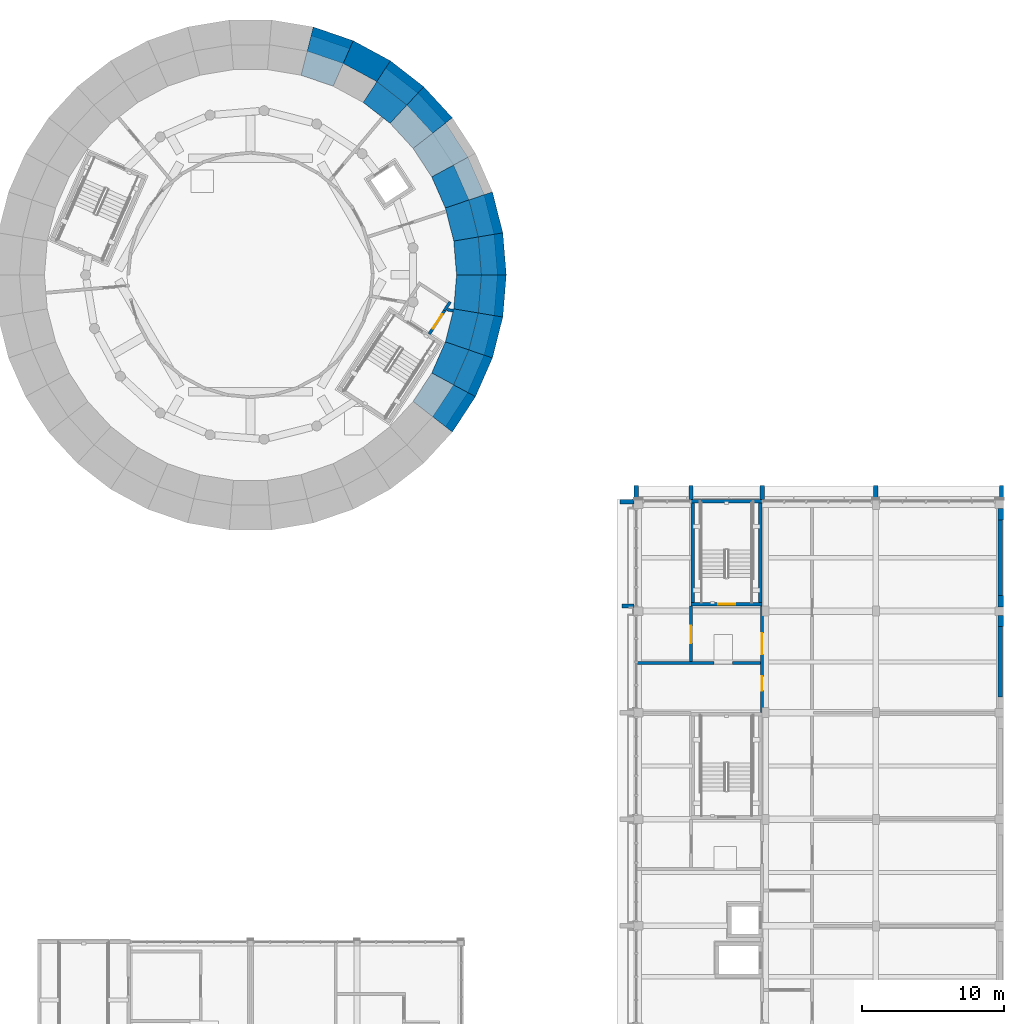
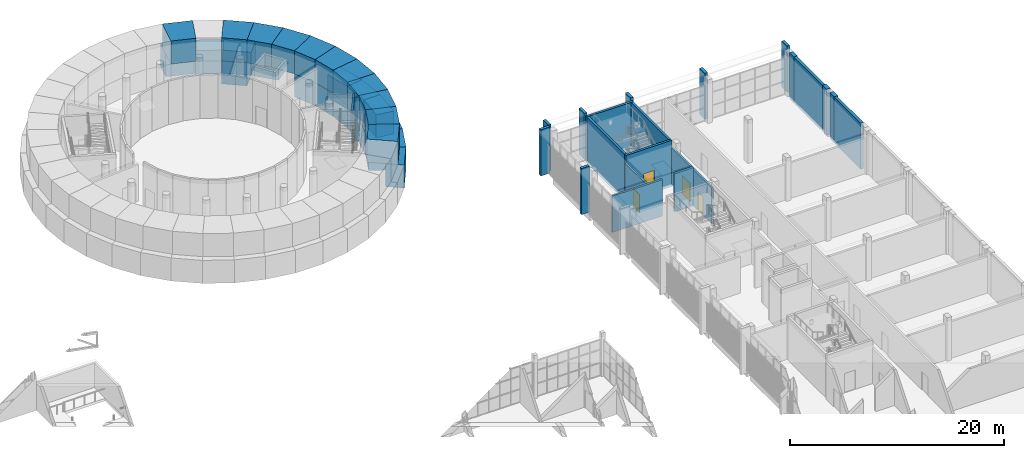
# One storey, part 73 of 125: 51 walls, 5 doors, 5 openings.
"""IFC4 building model written with IfcOpenShell, lengths in metres."""

from ifc_helpers import new_model, si_unit, direction, frame, frame_2d, origin, place, context, subcontext, project, spatial, polyline, rectangle, outline, extrude, material, layer, layer_set, type_object, element, fill, save


model = new_model("IFC4")

# Units and contexts
model_context = context("Model", 3, precision=1e-05, world=origin(), true_north=direction((0.0, 1.0)))
body_context = subcontext(model_context, "Body", "Model", "MODEL_VIEW")
ifc_project = project(units=[si_unit("LENGTHUNIT", "METRE"), si_unit("AREAUNIT", "SQUARE_METRE"), si_unit("VOLUMEUNIT", "CUBIC_METRE"), si_unit("PLANEANGLEUNIT", "RADIAN"), si_unit("MASSUNIT", "GRAM", prefix="KILO")], contexts=[model_context])

# Site, building, storey
site_placement = place(None, origin())
site = spatial("IfcSite", under=ifc_project, at=site_placement, CompositionType="ELEMENT")
building_placement = place(site_placement, origin())
building = spatial("IfcBuilding", under=site, at=building_placement, Name="Sun Court Science Centre", CompositionType="ELEMENT")
storey_placement = place(building_placement, frame((0.0, 0.0, 6.0)))
storey = spatial("IfcBuildingStorey", under=building, at=storey_placement, Name="L01", CompositionType="ELEMENT", Elevation=6.0)

# Walls
ifc_material_1 = material(Name="Concrete C30/37", Category="concrete")
ifc_layer_1 = layer(ifc_material_1, 0.300048828125)
ifc_layer_set_1 = layer_set([ifc_layer_1], Name="Concrete C30/37")
wall_type_1 = type_object("IfcWallType", Name="Facade fin RC 300", PredefinedType="SOLIDWALL", material=ifc_layer_set_1)
wall_1_placement = place(storey_placement, frame((77.14990234375, 73.5, 0.0), z_axis=(0.0, 0.0, 1.0), x_axis=(1.0, 0.0, 0.0)))
element("IfcWall", 1, at=wall_1_placement, inside=storey, type_object=wall_type_1, Name="Facade fin 10 L01", PredefinedType="SOLIDWALL", context=body_context, shape_type="SweptSolid", body=[
    extrude(rectangle(XDim=0.85009765625, YDim=0.300048828125, at=frame_2d((0.425048828125, 0.0))), origin(), (0.0, 0.0, 1.0), 5.25),
])
for number, where, z_axis, x_axis, name in (
    (2, (77.0, 80.85009765625, 0.0), (0.0, 0.0, 1.0), (1.0, 0.0, 0.0), "Facade fin 11 L01"),
    (3, (78.14990234375, 81.0, 0.0), (0.0, 0.0, 1.0), (0.0, 1.0, 0.0), "Facade fin north 01 L01"),
    (4, (82.0, 81.0, 0.0), (0.0, 0.0, 1.0), (0.0, 1.0, 0.0), "Facade fin north 02 L01"),
    (5, (87.0, 81.0, 0.0), (0.0, 0.0, 1.0), (0.0, 1.0, 0.0), "Facade fin north 03 L01"),
    (6, (95.0, 81.0, 0.0), (0.0, 0.0, 1.0), (0.0, 1.0, 0.0), "Facade fin north 04 L01"),
    (7, (103.85009765625, 81.0, 0.0), (0.0, 0.0, 1.0), (0.0, 1.0, 0.0), "Facade fin north 05 L01"),
):
    element("IfcWall", number, at=place(storey_placement, frame(where, z_axis=z_axis, x_axis=x_axis)), inside=storey, type_object=wall_type_1, Name=name, PredefinedType="SOLIDWALL", context=body_context, shape_type="SweptSolid", body=[
        extrude(rectangle(XDim=1.0, YDim=0.300048828125, at=frame_2d((0.5, 0.0))), origin(), (0.0, 0.0, 1.0), 5.25),
    ])
ifc_material_2 = material(Name="Gypsum board")
ifc_layer_2 = layer(ifc_material_2, 0.199951171875)
ifc_layer_set_2 = layer_set([ifc_layer_2], Name="Gypsum board")
wall_type_2 = type_object("IfcWallType", Name="Partition 200 acoustic double stud", PredefinedType="PARTITIONING", material=ifc_layer_set_2)
wall_2_placement = place(storey_placement, frame((65.262451171875, 94.28125, 0.0), z_axis=(0.0, 0.0, 1.0), x_axis=(-0.984748508509, 0.173983835426, 0.0)))
element("IfcWall", 8, at=wall_2_placement, inside=storey, type_object=wall_type_2, Name="L01 partition 039", PredefinedType="PARTITIONING", context=body_context, shape_type="SweptSolid", body=[
    extrude(rectangle(XDim=0.4208984375, YDim=0.199951171875, at=frame_2d((0.21044921875, 0.0))), origin(), (0.0, 0.0, 1.0), 4.949951171875),
])
ifc_material_3 = material(Name="Concrete block", Category="concrete")
ifc_layer_3 = layer(ifc_material_3, 0.199951171875)
ifc_layer_set_3 = layer_set([ifc_layer_3], Name="Concrete block")
wall_type_3 = type_object("IfcWallType", Name="Partition 200 block EI60", PredefinedType="PARTITIONING", material=ifc_layer_set_3)
wall_3_placement = place(storey_placement, frame((78.199951171875, 69.5, 0.0), z_axis=(0.0, 0.0, 1.0), x_axis=(1.0, 0.0, 0.0)))
element("IfcWall", 9, at=wall_3_placement, inside=storey, type_object=wall_type_3, Name="L01 partition 018", PredefinedType="PARTITIONING", context=body_context, shape_type="SweptSolid", body=[
    extrude(rectangle(XDim=5.400146484375, YDim=0.199951171875, at=frame_2d((2.7001953125, 0.0))), origin(), (0.0, 0.0, 1.0), 4.14990234375),
])
wall_4_placement = place(storey_placement, frame((84.89990234375, 69.5, 0.0), z_axis=(0.0, 0.0, 1.0), x_axis=(1.0, 0.0, 0.0)))
element("IfcWall", 10, at=wall_4_placement, inside=storey, type_object=wall_type_3, Name="L01 partition 019", PredefinedType="PARTITIONING", context=body_context, shape_type="SweptSolid", body=[
    extrude(rectangle(XDim=2.0, YDim=0.199951171875, at=frame_2d((1.0, 0.0))), origin(), (0.0, 0.0, 1.0), 4.35009765625),
])

# Wall, opening, door
wall_5_placement = place(storey_placement, frame((63.580810546875, 92.644287109375, 0.0), z_axis=(0.0, 0.0, 1.0), x_axis=(0.546949633936, 0.837165514063, 0.0)))
wall_5 = element("IfcWall", 11, at=wall_5_placement, inside=storey, type_object=wall_type_3, Name="L01 partition 014", PredefinedType="PARTITIONING", context=body_context, shape_type="SweptSolid", body=[
    extrude(rectangle(XDim=2.1728515625, YDim=0.199951171875, at=frame_2d((1.08642578125, 0.0))), origin(), (0.0, 0.0, 1.0), 4.949951171875),
])
opening_1_placement = place(wall_5_placement, frame((0.463134765625, 0.0, 0.0)))
opening_1 = element("IfcOpeningElement", 12, at=opening_1_placement, cuts=wall_5, Name="Opening D-L01-057", PredefinedType="OPENING", context=body_context, shape_type="SweptSolid", body=[
    extrude(rectangle(XDim=1.199951171875, YDim=2.10009765625, at=frame_2d((0.60009765625, 1.050048828125))), frame((0.0, 0.10986328125, 0.0), z_axis=(0.0, -1.0, 0.0), x_axis=(1.0, 0.0, 0.0)), (0.0, 0.0, 1.0), 0.219970703125),
])
ifc_material_4 = material(Name="Steel", Category="steel")
door_type_1 = type_object("IfcDoorType", Name="Door 1200x2100 single leaf FD60", OperationType="NOTDEFINED", PredefinedType="DOOR", material=ifc_material_4)
door_1_placement = place(opening_1_placement, origin())
door_1 = element("IfcDoor", 13, at=door_1_placement, inside=storey, type_object=door_type_1, Name="Door D-L01-057", OperationType="SINGLE_SWING_RIGHT", OverallHeight=2.10009765625, OverallWidth=1.199951171875, PredefinedType="DOOR", context=body_context, shape_type="SweptSolid", body=[
    extrude(rectangle(XDim=1.199951171875, YDim=2.10009765625, at=frame_2d((0.60009765625, 1.050048828125))), frame((0.0, 0.02490234375, 0.0), z_axis=(0.0, -1.0, 0.0), x_axis=(1.0, 0.0, 0.0)), (0.0, 0.0, 1.0), 0.050048828125),
])
fill(opening_1, door_1)

# Wall
wall_6_placement = place(storey_placement, frame((64.651611328125, 94.301513671875, 0.0), z_axis=(0.0, 0.0, 1.0), x_axis=(0.54690452618, 0.837194982811, 0.0)))
element("IfcWall", 14, at=wall_6_placement, inside=storey, type_object=wall_type_3, Name="L01 partition 015", PredefinedType="PARTITIONING", context=body_context, shape_type="SweptSolid", body=[
    extrude(rectangle(XDim=0.724853515625, YDim=0.199951171875, at=frame_2d((0.3623046875, 0.0))), origin(), (0.0, 0.0, 1.0), 4.949951171875),
])

# Wall, opening, door
wall_7_placement = place(storey_placement, frame((82.0, 69.60009765625, 0.0), z_axis=(0.0, 0.0, 1.0), x_axis=(0.0, 1.0, 0.0)))
wall_7 = element("IfcWall", 15, at=wall_7_placement, inside=storey, type_object=wall_type_3, Name="L01 partition 028", PredefinedType="PARTITIONING", context=body_context, shape_type="SweptSolid", body=[
    extrude(rectangle(XDim=3.89794921875, YDim=0.199951171875, at=frame_2d((1.948974609375, 0.0))), origin(), (0.0, 0.0, 1.0), 4.14990234375),
])
opening_2_placement = place(wall_7_placement, frame((1.301025390625, 0.0, 0.0)))
opening_2 = element("IfcOpeningElement", 16, at=opening_2_placement, cuts=wall_7, Name="Opening D-L01-043", PredefinedType="OPENING", context=body_context, shape_type="SweptSolid", body=[
    extrude(rectangle(XDim=1.199951171875, YDim=2.10009765625, at=frame_2d((0.60009765625, 1.050048828125))), frame((0.0, 0.10986328125, 0.0), z_axis=(0.0, -1.0, 0.0), x_axis=(1.0, 0.0, 0.0)), (0.0, 0.0, 1.0), 0.219970703125),
])
ifc_material_5 = material(Name="Timber", Category="wood")
door_type_2 = type_object("IfcDoorType", Name="Door 1200x2100 single leaf", OperationType="NOTDEFINED", PredefinedType="DOOR", material=ifc_material_5)
door_2_placement = place(opening_2_placement, origin())
door_2 = element("IfcDoor", 17, at=door_2_placement, inside=storey, type_object=door_type_2, Name="Door D-L01-043", OperationType="SINGLE_SWING_RIGHT", OverallHeight=2.10009765625, OverallWidth=1.199951171875, PredefinedType="DOOR", context=body_context, shape_type="SweptSolid", body=[
    extrude(rectangle(XDim=1.199951171875, YDim=2.10009765625, at=frame_2d((0.60009765625, 1.050048828125))), frame((0.0, 0.02490234375, 0.0), z_axis=(0.0, -1.0, 0.0), x_axis=(1.0, 0.0, 0.0)), (0.0, 0.0, 1.0), 0.050048828125),
])
fill(opening_2, door_2)

# Wall, openings, doors
ifc_material_6 = material(Name="Concrete block", Category="concrete")
ifc_layer_4 = layer(ifc_material_6, 0.199951171875)
ifc_layer_set_4 = layer_set([ifc_layer_4], Name="Concrete block")
wall_type_4 = type_object("IfcWallType", Name="Partition 200 corridor block EI120", PredefinedType="PARTITIONING", material=ifc_layer_set_4)
wall_8_placement = place(storey_placement, frame((87.0, 66.001953125, 0.0), z_axis=(0.0, 0.0, 1.0), x_axis=(0.0, 1.0, 0.0)))
wall_8 = element("IfcWall", 18, at=wall_8_placement, inside=storey, type_object=wall_type_4, Name="L01 partition 025", PredefinedType="PARTITIONING", context=body_context, shape_type="SweptSolid", body=[
    extrude(rectangle(XDim=7.49609375, YDim=0.199951171875, at=frame_2d((3.748046875, 0.0))), origin(), (0.0, 0.0, 1.0), 4.14990234375),
])
opening_3_placement = place(wall_8_placement, frame((4.097900390625, 0.0, 0.0)))
opening_3 = element("IfcOpeningElement", 19, at=opening_3_placement, cuts=wall_8, Name="Opening D-L01-035", PredefinedType="OPENING", context=body_context, shape_type="SweptSolid", body=[
    extrude(rectangle(XDim=1.5, YDim=2.10009765625, at=frame_2d((0.75, 1.050048828125))), frame((0.0, 0.10986328125, 0.0), z_axis=(0.0, -1.0, 0.0), x_axis=(1.0, 0.0, 0.0)), (0.0, 0.0, 1.0), 0.219970703125),
])
opening_4_placement = place(wall_8_placement, frame((1.548095703125, 0.0, 0.0)))
opening_4 = element("IfcOpeningElement", 20, at=opening_4_placement, cuts=wall_8, Name="Opening D-L01-042", PredefinedType="OPENING", context=body_context, shape_type="SweptSolid", body=[
    extrude(rectangle(XDim=1.0, YDim=2.10009765625, at=frame_2d((0.5, 1.050048828125))), frame((0.0, 0.10986328125, 0.0), z_axis=(0.0, -1.0, 0.0), x_axis=(1.0, 0.0, 0.0)), (0.0, 0.0, 1.0), 0.219970703125),
])
ifc_material_7 = material(Name="Steel", Category="steel")
door_type_3 = type_object("IfcDoorType", Name="Door 1000x2100 single leaf FD30S", OperationType="NOTDEFINED", PredefinedType="DOOR", material=ifc_material_7)
door_3_placement = place(opening_4_placement, origin())
door_3 = element("IfcDoor", 21, at=door_3_placement, inside=storey, type_object=door_type_3, Name="Door D-L01-042", OperationType="SINGLE_SWING_RIGHT", OverallHeight=2.10009765625, OverallWidth=1.0, PredefinedType="DOOR", context=body_context, shape_type="SweptSolid", body=[
    extrude(rectangle(XDim=1.0, YDim=2.10009765625, at=frame_2d((0.5, 1.050048828125))), frame((0.0, 0.02490234375, 0.0), z_axis=(0.0, -1.0, 0.0), x_axis=(1.0, 0.0, 0.0)), (0.0, 0.0, 1.0), 0.050048828125),
])
fill(opening_4, door_3)
ifc_material_8 = material(Name="Steel", Category="steel")
door_type_4 = type_object("IfcDoorType", Name="Door 1500x2100 double leaf FD60", OperationType="DOUBLE_DOOR_SINGLE_SWING", PredefinedType="DOOR", material=ifc_material_8)
door_4_placement = place(opening_3_placement, origin())
door_4 = element("IfcDoor", 22, at=door_4_placement, inside=storey, type_object=door_type_4, Name="Door D-L01-035", OperationType="DOUBLE_DOOR_SINGLE_SWING", OverallHeight=2.10009765625, OverallWidth=1.5, PredefinedType="DOOR", context=body_context, shape_type="SweptSolid", body=[
    extrude(rectangle(XDim=1.5, YDim=2.10009765625, at=frame_2d((0.75, 1.050048828125))), frame((0.0, 0.02490234375, 0.0), z_axis=(0.0, -1.0, 0.0), x_axis=(1.0, 0.0, 0.0)), (0.0, 0.0, 1.0), 0.050048828125),
])
fill(opening_3, door_4)

# Walls
ifc_material_9 = material(Name="Concrete C30/37", Category="concrete")
ifc_layer_5 = layer(ifc_material_9, 1.7451171875)
ifc_layer_set_5 = layer_set([ifc_layer_5], Name="Concrete C30/37")
wall_type_5 = type_object("IfcWallType", Name="RC drum wall exterior 1745", PredefinedType="SHEAR", material=ifc_layer_set_5)
wall_9_placement = place(storey_placement, frame((67.90869140625, 99.548583984375, -0.300048828125), z_axis=(0.0, 0.0, 1.0), x_axis=(-0.245471690726, 0.969403759562, 0.0)))
element("IfcWall", 23, at=wall_9_placement, inside=storey, type_object=wall_type_5, Name="Drum wall L01 course 1 segment 1", PredefinedType="SHEAR", context=body_context, shape_type="SweptSolid", body=[
    extrude(outline(polyline([(0.0, -0.872314453125), (2.97265625, -0.872314453125), (2.828369140625, 0.87255859375), (0.14453125, 0.872314453125), (0.0, -0.872314453125)])), origin(), (0.0, 0.0, 1.0), 2.625),
])
wall_10_placement = place(storey_placement, frame((64.562744140625, 107.264892578125, -0.300048828125), z_axis=(0.0, 0.0, 1.0), x_axis=(-0.677266435816, 0.73573784388, 0.0)))
element("IfcWall", 24, at=wall_10_placement, inside=storey, type_object=wall_type_5, Name="Drum wall L01 course 1 segment 4", PredefinedType="SHEAR", context=body_context, shape_type="SweptSolid", body=[
    extrude(outline(polyline([(0.0, -0.872314453125), (2.972900390625, -0.872314453125), (2.828369140625, 0.87255859375), (0.14453125, 0.872314453125), (0.0, -0.872314453125)])), origin(), (0.0, 0.0, 1.0), 2.625),
])
wall_11_placement = place(storey_placement, frame((62.6552734375, 109.3544921875, -0.300048828125), z_axis=(0.0, 0.0, 1.0), x_axis=(-0.78913990845, 0.614213484785, 0.0)))
element("IfcWall", 25, at=wall_11_placement, inside=storey, type_object=wall_type_5, Name="Drum wall L01 course 1 segment 5", PredefinedType="SHEAR", context=body_context, shape_type="SweptSolid", body=[
    extrude(outline(polyline([(0.0, -0.87255859375), (2.97265625, -0.87255859375), (2.828369140625, 0.872314453125), (0.144775390625, 0.87255859375), (0.0, -0.87255859375)])), origin(), (0.0, 0.0, 1.0), 2.625),
])
wall_12_placement = place(storey_placement, frame((60.429931640625, 111.101806640625, -0.300048828125), z_axis=(0.0, 0.0, 1.0), x_axis=(-0.879506822357, 0.47588627783, 0.0)))
element("IfcWall", 26, at=wall_12_placement, inside=storey, type_object=wall_type_5, Name="Drum wall L01 course 1 segment 6", PredefinedType="SHEAR", context=body_context, shape_type="SweptSolid", body=[
    extrude(outline(polyline([(-0.000244140625, -0.872314453125), (2.972900390625, -0.87255859375), (2.828369140625, 0.87255859375), (0.144775390625, 0.87255859375), (-0.000244140625, -0.872314453125)])), origin(), (0.0, 0.0, 1.0), 2.625),
])
wall_13_placement = place(storey_placement, frame((57.947265625, 112.458740234375, -0.300048828125), z_axis=(0.0, 0.0, 1.0), x_axis=(-0.945811972857, 0.324714816417, 0.0)))
element("IfcWall", 27, at=wall_13_placement, inside=storey, type_object=wall_type_5, Name="Drum wall L01 course 1 segment 7", PredefinedType="SHEAR", context=body_context, shape_type="SweptSolid", body=[
    extrude(outline(polyline([(0.0, -0.87255859375), (2.972900390625, -0.87255859375), (2.828125, 0.872314453125), (0.144775390625, 0.87255859375), (0.0, -0.87255859375)])), origin(), (0.0, 0.0, 1.0), 2.625),
])
wall_14_placement = place(storey_placement, frame((64.47412109375, 86.221435546875, -0.300048828125), z_axis=(0.0, 0.0, 1.0), x_axis=(0.546943979507, 0.837169208273, 0.0)))
element("IfcWall", 28, at=wall_14_placement, inside=storey, type_object=wall_type_5, Name="Drum wall L01 course 1 segment 34", PredefinedType="SHEAR", context=body_context, shape_type="SweptSolid", body=[
    extrude(outline(polyline([(0.0, -0.87255859375), (2.972900390625, -0.87255859375), (2.828369140625, 0.872314453125), (0.14453125, 0.872314453125), (0.0, -0.87255859375)])), origin(), (0.0, 0.0, 1.0), 2.625),
])
wall_15_placement = place(storey_placement, frame((66.031494140625, 88.58349609375, -0.300048828125), z_axis=(0.0, 0.0, 1.0), x_axis=(0.401744866956, 0.915751637659, 0.0)))
element("IfcWall", 29, at=wall_15_placement, inside=storey, type_object=wall_type_5, Name="Drum wall L01 course 1 segment 35", PredefinedType="SHEAR", context=body_context, shape_type="SweptSolid", body=[
    extrude(outline(polyline([(0.0, -0.87255859375), (2.97265625, -0.872314453125), (2.828125, 0.87255859375), (0.14453125, 0.872314453125), (0.0, -0.87255859375)])), origin(), (0.0, 0.0, 1.0), 2.625),
])
wall_16_placement = place(storey_placement, frame((67.178955078125, 91.169677734375, -0.300048828125), z_axis=(0.0, 0.0, 1.0), x_axis=(0.245471690726, 0.969403759562, 0.0)))
element("IfcWall", 30, at=wall_16_placement, inside=storey, type_object=wall_type_5, Name="Drum wall L01 course 1 segment 36", PredefinedType="SHEAR", context=body_context, shape_type="SweptSolid", body=[
    extrude(outline(polyline([(-0.000244140625, -0.87255859375), (2.972900390625, -0.872314453125), (2.828125, 0.872314453125), (0.14453125, 0.87255859375), (-0.000244140625, -0.87255859375)])), origin(), (0.0, 0.0, 1.0), 2.625),
])
wall_17_placement = place(storey_placement, frame((67.885009765625, 93.909423828125, -0.300048828125), z_axis=(0.0, 0.0, 1.0), x_axis=(0.082617291804, 0.996581347957, 0.0)))
element("IfcWall", 31, at=wall_17_placement, inside=storey, type_object=wall_type_5, Name="Drum wall L01 course 1 segment 37", PredefinedType="SHEAR", context=body_context, shape_type="SweptSolid", body=[
    extrude(outline(polyline([(0.0, -0.872314453125), (2.972900390625, -0.872314453125), (2.828125, 0.87255859375), (0.14453125, 0.872314453125), (0.0, -0.872314453125)])), origin(), (0.0, 0.0, 1.0), 2.625),
])
wall_18_placement = place(storey_placement, frame((68.130615234375, 96.72802734375, -0.300048828125), z_axis=(0.0, 0.0, 1.0), x_axis=(-0.082617291804, 0.996581347957, 0.0)))
element("IfcWall", 32, at=wall_18_placement, inside=storey, type_object=wall_type_5, Name="Drum wall L01 course 1 segment 38", PredefinedType="SHEAR", context=body_context, shape_type="SweptSolid", body=[
    extrude(outline(polyline([(0.0, -0.872314453125), (2.97265625, -0.872314453125), (2.828369140625, 0.872314453125), (0.14453125, 0.87255859375), (0.0, -0.872314453125)])), origin(), (0.0, 0.0, 1.0), 2.625),
])
wall_19_placement = place(storey_placement, frame((66.181884765625, 99.26025390625, -0.300048828125), z_axis=(0.0, 0.0, 1.0), x_axis=(-0.245531165049, 0.969388697577, 0.0)))
element("IfcWall", 33, at=wall_19_placement, inside=storey, type_object=wall_type_5, Name="Drum wall L01 course 1 inner ring segment 1", PredefinedType="SHEAR", context=body_context, shape_type="SweptSolid", body=[
    extrude(outline(polyline([(0.000244140625, -0.87255859375), (2.683837890625, -0.87255859375), (2.539306640625, 0.87255859375), (0.144775390625, 0.87255859375), (0.000244140625, -0.87255859375)])), origin(), (0.0, 0.0, 1.0), 2.625),
])
wall_20_placement = place(storey_placement, frame((65.56982421875, 101.7255859375, -0.300048828125), z_axis=(0.0, 0.0, 1.0), x_axis=(-0.401711016893, 0.915766487106, 0.0)))
element("IfcWall", 34, at=wall_20_placement, inside=storey, type_object=wall_type_5, Name="Drum wall L01 course 1 inner ring segment 2", PredefinedType="SHEAR", context=body_context, shape_type="SweptSolid", body=[
    extrude(outline(polyline([(0.000244140625, -0.872314453125), (2.68359375, -0.87255859375), (2.5390625, 0.872314453125), (0.144775390625, 0.87255859375), (0.000244140625, -0.872314453125)])), origin(), (0.0, 0.0, 1.0), 2.625),
])
wall_21_placement = place(storey_placement, frame((61.469482421875, 108.06640625, -0.300048828125), z_axis=(0.0, 0.0, 1.0), x_axis=(-0.789141546579, 0.614211380115, 0.0)))
element("IfcWall", 35, at=wall_21_placement, inside=storey, type_object=wall_type_5, Name="Drum wall L01 course 1 inner ring segment 5", PredefinedType="SHEAR", context=body_context, shape_type="SweptSolid", body=[
    extrude(outline(polyline([(0.000244140625, -0.872314453125), (2.683837890625, -0.87255859375), (2.539306640625, 0.87255859375), (0.144775390625, 0.87255859375), (0.000244140625, -0.872314453125)])), origin(), (0.0, 0.0, 1.0), 2.625),
])
wall_22_placement = place(storey_placement, frame((64.49169921875, 89.416748046875, -0.300048828125), z_axis=(0.0, 0.0, 1.0), x_axis=(0.401744483822, 0.915751805741, 0.0)))
element("IfcWall", 36, at=wall_22_placement, inside=storey, type_object=wall_type_5, Name="Drum wall L01 course 1 inner ring segment 35", PredefinedType="SHEAR", context=body_context, shape_type="SweptSolid", body=[
    extrude(outline(polyline([(0.000244140625, -0.87255859375), (2.68359375, -0.872314453125), (2.538818359375, 0.87255859375), (0.14453125, 0.872314453125), (0.000244140625, -0.87255859375)])), origin(), (0.0, 0.0, 1.0), 2.625),
])
wall_23_placement = place(storey_placement, frame((65.52294921875, 91.738037109375, -0.300048828125), z_axis=(0.0, 0.0, 1.0), x_axis=(0.245531165049, 0.969388697577, 0.0)))
element("IfcWall", 37, at=wall_23_placement, inside=storey, type_object=wall_type_5, Name="Drum wall L01 course 1 inner ring segment 36", PredefinedType="SHEAR", context=body_context, shape_type="SweptSolid", body=[
    extrude(outline(polyline([(0.0, -0.872314453125), (2.683837890625, -0.872314453125), (2.539306640625, 0.87255859375), (0.14453125, 0.87255859375), (0.0, -0.872314453125)])), origin(), (0.0, 0.0, 1.0), 2.625),
])
wall_24_placement = place(storey_placement, frame((66.157958984375, 94.197509765625, -0.300048828125), z_axis=(0.0, 0.0, 1.0), x_axis=(0.082601284234, 0.996582674866, 0.0)))
element("IfcWall", 38, at=wall_24_placement, inside=storey, type_object=wall_type_5, Name="Drum wall L01 course 1 inner ring segment 37", PredefinedType="SHEAR", context=body_context, shape_type="SweptSolid", body=[
    extrude(outline(polyline([(0.0, -0.87255859375), (2.683837890625, -0.872314453125), (2.5390625, 0.872314453125), (0.144775390625, 0.872314453125), (0.0, -0.87255859375)])), origin(), (0.0, 0.0, 1.0), 2.625),
])
wall_25_placement = place(storey_placement, frame((66.379638671875, 96.72802734375, -0.300048828125), z_axis=(0.0, 0.0, 1.0), x_axis=(-0.082601284234, 0.996582674866, 0.0)))
element("IfcWall", 39, at=wall_25_placement, inside=storey, type_object=wall_type_5, Name="Drum wall L01 course 1 inner ring segment 38", PredefinedType="SHEAR", context=body_context, shape_type="SweptSolid", body=[
    extrude(outline(polyline([(0.0, -0.872314453125), (2.68359375, -0.87255859375), (2.5390625, 0.872314453125), (0.14453125, 0.872314453125), (0.0, -0.872314453125)])), origin(), (0.0, 0.0, 1.0), 2.625),
])
ifc_material_10 = material(Name="Concrete C30/37", Category="concrete")
ifc_layer_6 = layer(ifc_material_10, 2.89208984375)
ifc_layer_set_6 = layer_set([ifc_layer_6], Name="Concrete C30/37")
wall_type_6 = type_object("IfcWallType", Name="RC drum wall exterior 2892", PredefinedType="SHEAR", material=ifc_layer_set_6)
wall_26_placement = place(storey_placement, frame((66.760986328125, 99.30908203125, 2.324951171875), z_axis=(0.0, 0.0, 1.0), x_axis=(-0.245453198001, 0.969408442088, 0.0)))
element("IfcWall", 40, at=wall_26_placement, inside=storey, type_object=wall_type_6, Name="Drum wall L01 course 2 segment 1", PredefinedType="SHEAR", context=body_context, shape_type="SweptSolid", body=[
    extrude(outline(polyline([(-0.000244140625, -1.44580078125), (2.87353515625, -1.44580078125), (2.634033203125, 1.446044921875), (0.239501953125, 1.44580078125), (-0.000244140625, -1.44580078125)])), origin(), (0.0, 0.0, 1.0), 2.625),
])
wall_27_placement = place(storey_placement, frame((66.133056640625, 101.868896484375, 2.324951171875), z_axis=(0.0, 0.0, 1.0), x_axis=(-0.40165649528, 0.915790401675, 0.0)))
element("IfcWall", 41, at=wall_27_placement, inside=storey, type_object=wall_type_6, Name="Drum wall L01 course 2 segment 2", PredefinedType="SHEAR", context=body_context, shape_type="SweptSolid", body=[
    extrude(outline(polyline([(0.0, -1.446044921875), (2.8740234375, -1.44580078125), (2.634033203125, 1.44580078125), (0.239501953125, 1.446044921875), (0.0, -1.446044921875)])), origin(), (0.0, 0.0, 1.0), 2.625),
])
wall_28_placement = place(storey_placement, frame((65.09228515625, 104.290771484375, 2.324951171875), z_axis=(0.0, 0.0, 1.0), x_axis=(-0.546951759565, 0.837164125311, 0.0)))
element("IfcWall", 42, at=wall_28_placement, inside=storey, type_object=wall_type_6, Name="Drum wall L01 course 2 segment 3", PredefinedType="SHEAR", context=body_context, shape_type="SweptSolid", body=[
    extrude(outline(polyline([(0.0, -1.44580078125), (2.87353515625, -1.44580078125), (2.634033203125, 1.44580078125), (0.239501953125, 1.44580078125), (0.0, -1.44580078125)])), origin(), (0.0, 0.0, 1.0), 2.625),
])
wall_29_placement = place(storey_placement, frame((63.667236328125, 106.508056640625, 2.324951171875), z_axis=(0.0, 0.0, 1.0), x_axis=(-0.677277359134, 0.735727788523, 0.0)))
element("IfcWall", 43, at=wall_29_placement, inside=storey, type_object=wall_type_6, Name="Drum wall L01 course 2 segment 4", PredefinedType="SHEAR", context=body_context, shape_type="SweptSolid", body=[
    extrude(outline(polyline([(0.0, -1.44580078125), (2.873779296875, -1.44580078125), (2.63427734375, 1.446044921875), (0.239501953125, 1.44580078125), (0.0, -1.44580078125)])), origin(), (0.0, 0.0, 1.0), 2.625),
])
wall_30_placement = place(storey_placement, frame((61.896728515625, 108.460693359375, 2.324951171875), z_axis=(0.0, 0.0, 1.0), x_axis=(-0.789178347827, 0.614164094783, 0.0)))
element("IfcWall", 44, at=wall_30_placement, inside=storey, type_object=wall_type_6, Name="Drum wall L01 course 2 segment 5", PredefinedType="SHEAR", context=body_context, shape_type="SweptSolid", body=[
    extrude(outline(polyline([(0.0, -1.44580078125), (2.873779296875, -1.44580078125), (2.63427734375, 1.446044921875), (0.23974609375, 1.446044921875), (0.0, -1.44580078125)])), origin(), (0.0, 0.0, 1.0), 2.625),
])
wall_31_placement = place(storey_placement, frame((57.52001953125, 111.366943359375, 2.324951171875), z_axis=(0.0, 0.0, 1.0), x_axis=(-0.945816295328, 0.324702225882, 0.0)))
element("IfcWall", 45, at=wall_31_placement, inside=storey, type_object=wall_type_6, Name="Drum wall L01 course 2 segment 7", PredefinedType="SHEAR", context=body_context, shape_type="SweptSolid", body=[
    extrude(outline(polyline([(0.0, -1.446044921875), (2.873779296875, -1.44580078125), (2.634033203125, 1.446044921875), (0.239501953125, 1.44580078125), (0.0, -1.446044921875)])), origin(), (0.0, 0.0, 1.0), 2.625),
])
wall_32_placement = place(storey_placement, frame((63.5205078125, 86.903564453125, 2.324951171875), z_axis=(0.0, 0.0, 1.0), x_axis=(0.546951759565, 0.837164125311, 0.0)))
element("IfcWall", 46, at=wall_32_placement, inside=storey, type_object=wall_type_6, Name="Drum wall L01 course 2 segment 34", PredefinedType="SHEAR", context=body_context, shape_type="SweptSolid", body=[
    extrude(outline(polyline([(0.0, -1.44580078125), (2.873779296875, -1.44580078125), (2.63427734375, 1.44580078125), (0.23974609375, 1.44580078125), (0.0, -1.44580078125)])), origin(), (0.0, 0.0, 1.0), 2.625),
])
wall_33_placement = place(storey_placement, frame((64.978759765625, 89.099365234375, 2.324951171875), z_axis=(0.0, 0.0, 1.0), x_axis=(0.401687745908, 0.915776694827, 0.0)))
element("IfcWall", 47, at=wall_33_placement, inside=storey, type_object=wall_type_6, Name="Drum wall L01 course 2 segment 35", PredefinedType="SHEAR", context=body_context, shape_type="SweptSolid", body=[
    extrude(outline(polyline([(0.0, -1.44580078125), (2.87353515625, -1.446044921875), (2.634033203125, 1.44580078125), (0.23974609375, 1.44580078125), (0.0, -1.44580078125)])), origin(), (0.0, 0.0, 1.0), 2.625),
])
wall_34_placement = place(storey_placement, frame((66.0556640625, 91.505126953125, 2.324951171875), z_axis=(0.0, 0.0, 1.0), x_axis=(0.245432983547, 0.969413560142, 0.0)))
element("IfcWall", 48, at=wall_34_placement, inside=storey, type_object=wall_type_6, Name="Drum wall L01 course 2 segment 36", PredefinedType="SHEAR", context=body_context, shape_type="SweptSolid", body=[
    extrude(outline(polyline([(0.0, -1.44580078125), (2.873779296875, -1.44580078125), (2.63427734375, 1.44580078125), (0.239501953125, 1.446044921875), (0.0, -1.44580078125)])), origin(), (0.0, 0.0, 1.0), 2.625),
])
wall_35_placement = place(storey_placement, frame((66.7216796875, 94.055419921875, 2.324951171875), z_axis=(0.0, 0.0, 1.0), x_axis=(0.082574420244, 0.99658490111, 0.0)))
element("IfcWall", 49, at=wall_35_placement, inside=storey, type_object=wall_type_6, Name="Drum wall L01 course 2 segment 37", PredefinedType="SHEAR", context=body_context, shape_type="SweptSolid", body=[
    extrude(outline(polyline([(0.0, -1.44580078125), (2.873779296875, -1.44580078125), (2.63427734375, 1.44580078125), (0.23974609375, 1.44580078125), (0.0, -1.44580078125)])), origin(), (0.0, 0.0, 1.0), 2.625),
])
wall_36_placement = place(storey_placement, frame((66.958984375, 96.6806640625, 2.324951171875), z_axis=(0.0, 0.0, 1.0), x_axis=(-0.08258141183, 0.996584321781, 0.0)))
element("IfcWall", 50, at=wall_36_placement, inside=storey, type_object=wall_type_6, Name="Drum wall L01 course 2 segment 38", PredefinedType="SHEAR", context=body_context, shape_type="SweptSolid", body=[
    extrude(outline(polyline([(0.0, -1.44580078125), (2.87353515625, -1.44580078125), (2.634033203125, 1.44580078125), (0.239501953125, 1.44580078125), (0.0, -1.44580078125)])), origin(), (0.0, 0.0, 1.0), 2.625),
])
ifc_material_11 = material(Name="Concrete C30/37", Category="concrete")
ifc_layer_7 = layer(ifc_material_11, 0.39990234375)
ifc_layer_set_7 = layer_set([ifc_layer_7], Name="Concrete C30/37")
wall_type_7 = type_object("IfcWallType", Name="RC party wall exterior 400", PredefinedType="SOLIDWALL", material=ifc_layer_set_7)
for number, where, z_axis, x_axis, name in (
    (51, (103.800048828125, 72.050048828125, -0.300048828125), (0.0, 0.0, 1.0), (0.0, 1.0, 0.0), "East party wall L01"),
    (52, (103.800048828125, 73.449951171875, -0.300048828125), (0.0, 0.0, 1.0), (0.0, 1.0, 0.0), "East party wall L01"),
    (53, (103.800048828125, 79.550048828125, -0.300048828125), (0.0, 0.0, 1.0), (0.0, 1.0, 0.0), "East party wall L01"),
):
    element("IfcWall", number, at=place(storey_placement, frame(where, z_axis=z_axis, x_axis=x_axis)), inside=storey, type_object=wall_type_7, Name=name, PredefinedType="SOLIDWALL", context=body_context, shape_type="SweptSolid", body=[
        extrude(rectangle(XDim=0.800048828125, YDim=0.39990234375, at=frame_2d((0.39990234375, 0.0))), origin(), (0.0, 0.0, 1.0), 5.25),
    ])
ifc_material_12 = material(Name="Concrete C30/37", Category="concrete")
ifc_layer_8 = layer(ifc_material_12, 0.300048828125)
ifc_layer_set_8 = layer_set([ifc_layer_8], Name="Concrete C30/37")
wall_type_8 = type_object("IfcWallType", Name="RC party wall panel exterior 300", PredefinedType="SOLIDWALL", material=ifc_layer_set_8)
wall_37_placement = place(storey_placement, frame((103.75, 67.10009765625, -0.300048828125), z_axis=(0.0, 0.0, 1.0), x_axis=(0.0, 1.0, 0.0)))
element("IfcWall", 54, at=wall_37_placement, inside=storey, type_object=wall_type_8, Name="East party wall L01 panel", PredefinedType="SOLIDWALL", context=body_context, shape_type="SweptSolid", body=[
    extrude(rectangle(XDim=4.949951171875, YDim=0.300048828125, at=frame_2d((2.47509765625, 0.0))), origin(), (0.0, 0.0, 1.0), 5.25),
])
wall_38_placement = place(storey_placement, frame((103.75, 74.25, -0.300048828125), z_axis=(0.0, 0.0, 1.0), x_axis=(0.0, 1.0, 0.0)))
element("IfcWall", 55, at=wall_38_placement, inside=storey, type_object=wall_type_8, Name="East party wall L01 panel", PredefinedType="SOLIDWALL", context=body_context, shape_type="SweptSolid", body=[
    extrude(rectangle(XDim=5.300048828125, YDim=0.300048828125, at=frame_2d((2.64990234375, 0.0))), origin(), (0.0, 0.0, 1.0), 5.25),
])

# Wall, opening, door
ifc_material_13 = material(Name="Concrete C30/37", Category="concrete")
ifc_layer_9 = layer(ifc_material_13, 0.25)
ifc_layer_set_9 = layer_set([ifc_layer_9], Name="Concrete C30/37")
wall_type_9 = type_object("IfcWallType", Name="RC stair core wall 250", PredefinedType="SHEAR", material=ifc_layer_set_9)
wall_39_placement = place(storey_placement, frame((82.0, 73.625, -0.300048828125), z_axis=(0.0, 0.0, 1.0), x_axis=(1.0, 0.0, 0.0)))
wall_39 = element("IfcWall", 56, at=wall_39_placement, inside=storey, type_object=wall_type_9, Name="Stair core SL4 wall S, L01", PredefinedType="SHEAR", context=body_context, shape_type="SweptSolid", body=[
    extrude(rectangle(XDim=5.0, YDim=0.25, at=frame_2d((2.5, 0.0))), origin(), (0.0, 0.0, 1.0), 5.25),
])
opening_5_placement = place(wall_39_placement, frame((1.89990234375, 0.0, 0.300048828125)))
opening_5 = element("IfcOpeningElement", 57, at=opening_5_placement, cuts=wall_39, Name="Opening D-L01-034", PredefinedType="OPENING", context=body_context, shape_type="SweptSolid", body=[
    extrude(rectangle(XDim=1.199951171875, YDim=2.199951171875, at=frame_2d((0.60009765625, 1.10009765625))), frame((0.0, 0.135009765625, 0.0), z_axis=(0.0, -1.0, 0.0), x_axis=(1.0, 0.0, 0.0)), (0.0, 0.0, 1.0), 0.27001953125),
])
ifc_material_14 = material(Name="Steel", Category="steel")
door_type_5 = type_object("IfcDoorType", Name="Door 1200x2200 single leaf FD60", OperationType="NOTDEFINED", PredefinedType="DOOR", material=ifc_material_14)
door_5_placement = place(opening_5_placement, origin())
door_5 = element("IfcDoor", 58, at=door_5_placement, inside=storey, type_object=door_type_5, Name="Door D-L01-034", OperationType="SINGLE_SWING_LEFT", OverallHeight=2.199951171875, OverallWidth=1.199951171875, PredefinedType="DOOR", context=body_context, shape_type="SweptSolid", body=[
    extrude(rectangle(XDim=1.199951171875, YDim=2.199951171875, at=frame_2d((0.60009765625, 1.10009765625))), frame((0.0, 0.02490234375, 0.0), z_axis=(0.0, -1.0, 0.0), x_axis=(1.0, 0.0, 0.0)), (0.0, 0.0, 1.0), 0.050048828125),
])
fill(opening_5, door_5)

# Walls
wall_40_placement = place(storey_placement, frame((86.875, 73.75, -0.300048828125), z_axis=(0.0, 0.0, 1.0), x_axis=(0.0, 1.0, 0.0)))
element("IfcWall", 59, at=wall_40_placement, inside=storey, type_object=wall_type_9, Name="Stair core SL4 wall E, L01", PredefinedType="SHEAR", context=body_context, shape_type="SweptSolid", body=[
    extrude(rectangle(XDim=7.0, YDim=0.25, at=frame_2d((3.5, 0.0))), origin(), (0.0, 0.0, 1.0), 5.25),
])
wall_41_placement = place(storey_placement, frame((82.0, 80.875, -0.300048828125), z_axis=(0.0, 0.0, 1.0), x_axis=(1.0, 0.0, 0.0)))
element("IfcWall", 60, at=wall_41_placement, inside=storey, type_object=wall_type_9, Name="Stair core SL4 wall N, L01", PredefinedType="SHEAR", context=body_context, shape_type="SweptSolid", body=[
    extrude(rectangle(XDim=5.0, YDim=0.25, at=frame_2d((2.5, 0.0))), origin(), (0.0, 0.0, 1.0), 5.25),
])
wall_42_placement = place(storey_placement, frame((82.125, 73.75, -0.300048828125), z_axis=(0.0, 0.0, 1.0), x_axis=(0.0, 1.0, 0.0)))
element("IfcWall", 61, at=wall_42_placement, inside=storey, type_object=wall_type_9, Name="Stair core SL4 wall W, L01", PredefinedType="SHEAR", context=body_context, shape_type="SweptSolid", body=[
    extrude(rectangle(XDim=7.0, YDim=0.25, at=frame_2d((3.5, 0.0))), origin(), (0.0, 0.0, 1.0), 5.25),
])

save(model, "model.ifc")
